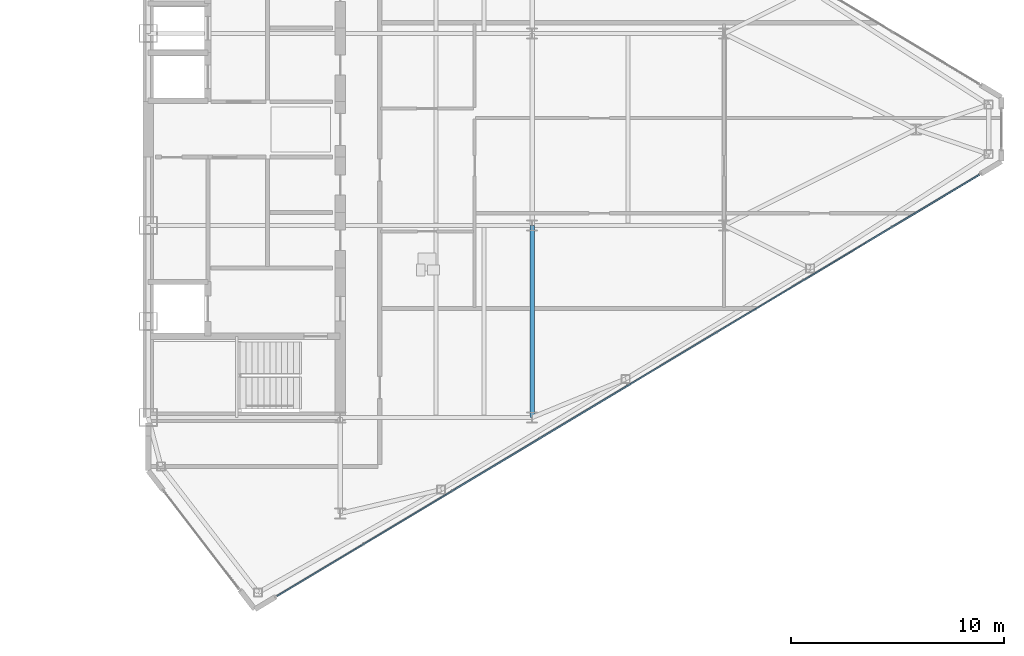
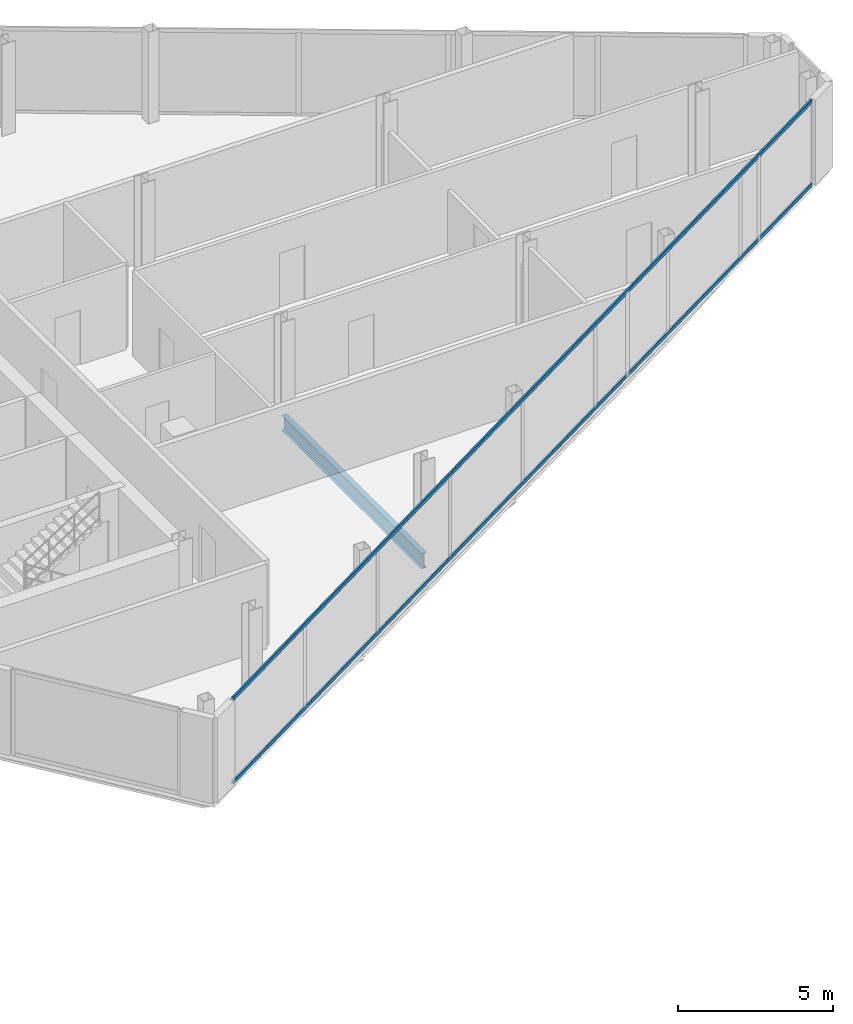
# One storey, part 12 of 26: 2 members, 1 beam, 1 element without a shape of its own.
"""IFC4 building model written with IfcOpenShell, lengths in metres."""

from ifc_helpers import new_model, si_unit, direction, frame, origin, origin_2d, place, context, subcontext, project, spatial, rectangle, i_section, extrude, source, transform, mapped, material, layer, layer_set, material_profile, profile_set, type_object, type_shapes, element, aggregate, save


model = new_model("IFC4")

# Units and contexts
model_context = context("Model", 3, precision=1e-05, world=origin(), true_north=direction((0.0, 1.0)))
body_context = subcontext(model_context, "Body", "Model", "MODEL_VIEW")
ifc_project = project(units=[si_unit("LENGTHUNIT", "METRE"), si_unit("AREAUNIT", "SQUARE_METRE"), si_unit("VOLUMEUNIT", "CUBIC_METRE"), si_unit("PLANEANGLEUNIT", "RADIAN"), si_unit("MASSUNIT", "GRAM", prefix="KILO")], contexts=[model_context])

# Site, building, storey
site_placement = place(None, origin())
site = spatial("IfcSite", under=ifc_project, at=site_placement, CompositionType="ELEMENT")
building_placement = place(site_placement, origin())
building = spatial("IfcBuilding", under=site, at=building_placement, Name="Seokmaru Belvedere", CompositionType="ELEMENT")
storey_placement = place(building_placement, frame((0.0, 0.0, 221.10009765625)))
storey = spatial("IfcBuildingStorey", under=building, at=storey_placement, Name="L59", CompositionType="ELEMENT", Elevation=221.10009765625)

# Beam
ifc_material_1 = material(Name="Steel SM355 (355 MPa)", Category="steel")
ifc_material_profile_1 = material_profile(ifc_material_1, i_section(OverallWidth=0.199951171875, OverallDepth=0.60009765625, WebThickness=0.010986328125, FlangeThickness=0.01708984375, at=origin_2d()), Name="H-600x200x11x17")
ifc_profile_set_1 = profile_set([ifc_material_profile_1], Name="Steel SM355 (355 MPa)")
beam_type = type_object("IfcBeamType", Name="Primary Floor Girder H-600", PredefinedType="BEAM", material=ifc_profile_set_1)
shared_shape_1 = source(origin(), body_context, "Body", "SweptSolid", [
    extrude(i_section(OverallWidth=0.199951171875, OverallDepth=0.60009765625, WebThickness=0.010986328125, FlangeThickness=0.01708984375, at=origin_2d()), origin(), (0.0, 0.0, 1.0), 9.0),
])
type_shapes(beam_type, [shared_shape_1])
beam_placement = place(storey_placement, frame((45.5, -13.5, -0.52001953125), z_axis=(0.0, 1.0, 0.0), x_axis=(-1.0, 0.0, 0.0)))
element("IfcBeam", 1, at=beam_placement, inside=storey, type_object=beam_type, Name="L59 E Interior Grid Girder 1", PredefinedType="BEAM", context=body_context, shape_type="MappedRepresentation", body=[
    mapped(shared_shape_1, transform((0.0, 0.0, 0.0), scale=1.0)),
])

# Curtain wall, members
ifc_material_2 = material(Name="Bronze Triple Insulating Glass", Category="glass")
ifc_layer = layer(ifc_material_2, 0.179931640625)
ifc_layer_set = layer_set([ifc_layer], Name="Bronze Triple Insulating Glass")
curtain_wall_type = type_object("IfcCurtainWallType", Name="High-Rise Wind-Corner Curtain Wall System CW-5", PredefinedType="NOTDEFINED", material=ifc_layer_set)
curtain_wall_placement = place(storey_placement, origin())
curtain_wall = element("IfcCurtainWall", 2, at=curtain_wall_placement, inside=storey, type_object=curtain_wall_type, Name="L59 Curtain Wall EF1", PredefinedType="NOTDEFINED")
ifc_material_3 = material(Name="Anodised Bronze Aluminium", Category="aluminium")
ifc_material_profile_2 = material_profile(ifc_material_3, rectangle(XDim=0.06494140625, YDim=0.14990234375, at=origin_2d()), Name="CW-T-65x150")
ifc_profile_set_2 = profile_set([ifc_material_profile_2], Name="Anodised Bronze Aluminium")
member_type = type_object("IfcMemberType", Name="Bronze Unitised Transom 65x150", PredefinedType="USERDEFINED", material=ifc_profile_set_2)
shared_shape_2 = source(origin(), body_context, "Body", "SweptSolid", [
    extrude(rectangle(XDim=0.06494140625, YDim=0.14990234375, at=origin_2d()), origin(), (0.0, 0.0, 1.0), 38.386962890625),
])
type_shapes(member_type, [shared_shape_2])
member_1_placement = place(storey_placement, frame((33.541748046875, -21.875, 0.032470703125), z_axis=(0.85749180336, 0.514497626011, 0.0), x_axis=(-0.514497626011, 0.85749180336, 0.0)))
member_1 = element("IfcMember", 3, at=member_1_placement, type_object=member_type, Name="CW:L59:EF1 Continuous Transom 1", ObjectType="TRANSOM", PredefinedType="USERDEFINED", context=body_context, shape_type="MappedRepresentation", body=[
    mapped(shared_shape_2, transform((0.0, 0.0, 0.0), scale=1.0)),
])
member_2_placement = place(storey_placement, frame((33.541748046875, -21.875, 3.307373046875), z_axis=(0.85749180336, 0.514497626011, 0.0), x_axis=(-0.514497626011, 0.85749180336, 0.0)))
member_2 = element("IfcMember", 4, at=member_2_placement, type_object=member_type, Name="CW:L59:EF1 Continuous Transom 2", ObjectType="TRANSOM", PredefinedType="USERDEFINED", context=body_context, shape_type="MappedRepresentation", body=[
    mapped(shared_shape_2, transform((0.0, 0.0, 0.0), scale=1.0)),
])
aggregate(curtain_wall, [member_1, member_2])

save(model, "model.ifc")
